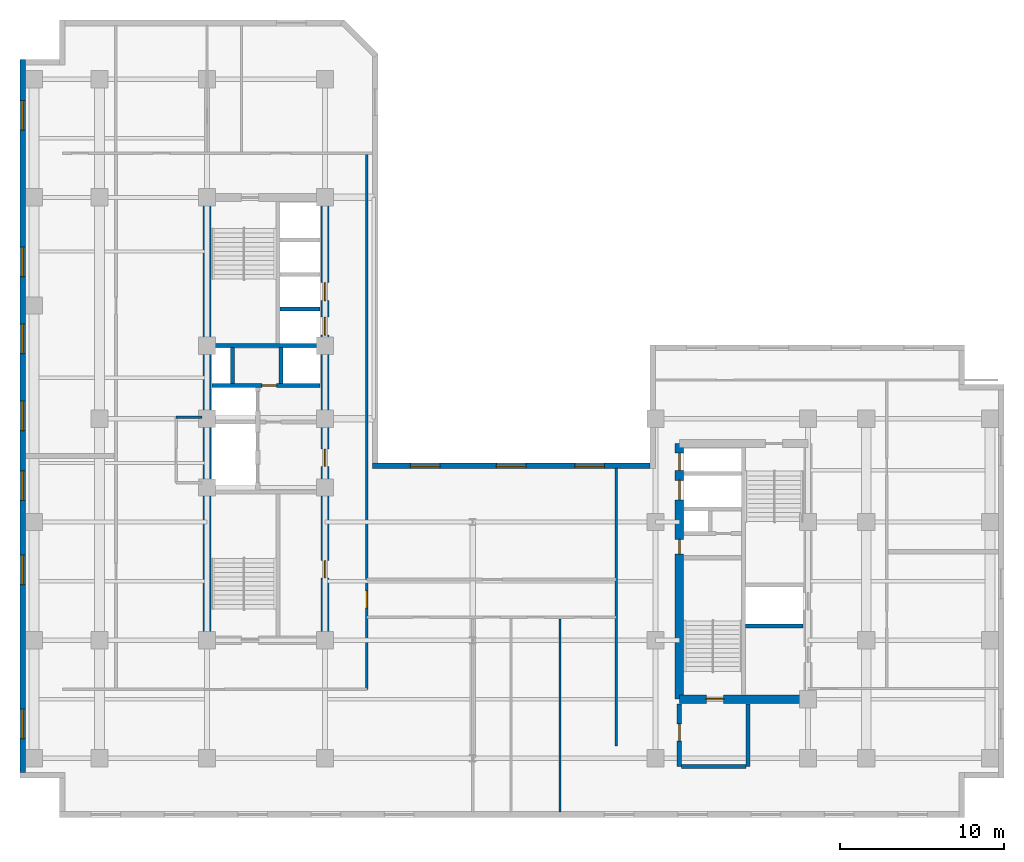
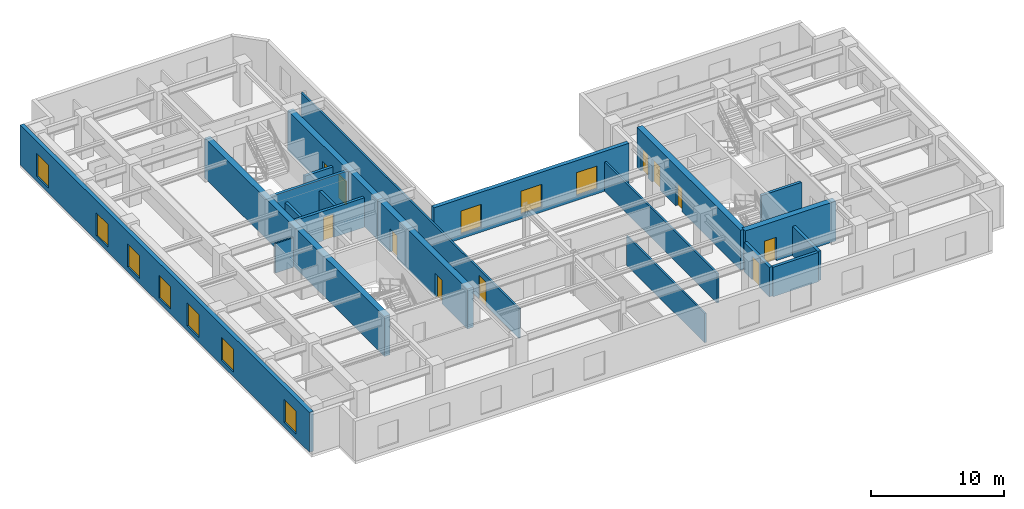
# One storey, part 4 of 9: 20 walls, 11 doors, 10 windows, 21 openings.
"""IFC4 building model written with IfcOpenShell, lengths in metres."""

from ifc_helpers import new_model, entity, si_unit, converted_unit, direction, frame, origin_with_axes, origin_2d_with_axis, place, context, subcontext, project, spatial, polyline, rectangle, outline, extrude, material, layer, layer_set, type_object, element, fill, save


model = new_model("IFC4")

# Units and contexts
model_context = context("Model", 3, precision=1e-05, world=origin_with_axes(), true_north=direction((0.0, 1.0)))
body_context = subcontext(model_context, "Body", "Model", "MODEL_VIEW")
ifc_project = project(units=[si_unit("LENGTHUNIT", "METRE"), si_unit("AREAUNIT", "SQUARE_METRE"), si_unit("VOLUMEUNIT", "CUBIC_METRE"), converted_unit("PLANEANGLEUNIT", "DEGREE", entity("IfcPlaneAngleMeasure", 0.017453292519943295), si_unit("PLANEANGLEUNIT", "RADIAN"), dimensions=[0, 0, 0, 0, 0, 0, 0]), si_unit("MASSUNIT", "GRAM", prefix="KILO"), si_unit("THERMODYNAMICTEMPERATUREUNIT", "KELVIN")], contexts=[model_context])

# Site, building, storey
site_placement = place(None, origin_with_axes())
site = spatial("IfcSite", under=ifc_project, at=site_placement, CompositionType="ELEMENT")
building_placement = place(site_placement, origin_with_axes())
building = spatial("IfcBuilding", under=site, at=building_placement, Name="Varnlund Millrace Tower", CompositionType="ELEMENT")
storey_placement = place(building_placement, frame((0.0, 0.0, 136.8), z_axis=(0.0, 0.0, 1.0), x_axis=(1.0, 0.0, 0.0)))
storey = spatial("IfcBuildingStorey", under=building, at=storey_placement, Name="L33", CompositionType="ELEMENT", Elevation=136.8)

# Wall
ifc_material_1 = material(Name="Concrete C70/85", Category="concrete")
ifc_layer_1 = layer(ifc_material_1, 0.5, Name="Concrete C70/85")
ifc_layer_set_1 = layer_set([ifc_layer_1], Name="Concrete C70/85")
wall_type_1 = type_object("IfcWallType", Name="Type-CoreWall-Shear-500-C70", PredefinedType="SHEAR", material=ifc_layer_set_1)
wall_1_placement = place(storey_placement, frame((11.4, 10.8, 0.0), z_axis=(0.0, 0.0, 1.0), x_axis=(0.0, 1.0, 0.0)))
element("IfcWall", 1, at=wall_1_placement, inside=storey, type_object=wall_type_1, Name="Type-CoreWall-Shear-500-C70", PredefinedType="SHEAR", context=body_context, shape_type="SweptSolid", body=[
    extrude(outline(polyline([(0.0, -0.25), (27.0, -0.25), (27.0, 0.25), (0.0, 0.25), (0.0, -0.25)])), origin_with_axes(), (0.0, 0.0, 1.0), 3.66),
])

# Wall, openings, doors
wall_2_placement = place(storey_placement, frame((18.6, 10.8, 0.0), z_axis=(0.0, 0.0, 1.0), x_axis=(0.0, 1.0, 0.0)))
wall_2 = element("IfcWall", 2, at=wall_2_placement, inside=storey, type_object=wall_type_1, Name="Type-CoreWall-Shear-500-C70", PredefinedType="SHEAR", context=body_context, shape_type="SweptSolid", body=[
    extrude(outline(polyline([(0.0, -0.25), (13.5, -0.25), (13.5, 0.25), (0.0, 0.25), (0.0, -0.25)])), origin_with_axes(), (0.0, 0.0, 1.0), 3.66),
])
opening_1_placement = place(wall_2_placement, frame((11.125, 0.0, 0.0), z_axis=(0.0, 0.0, 1.0), x_axis=(1.0, 0.0, 0.0)))
opening_1 = element("IfcOpeningElement", 3, at=opening_1_placement, cuts=wall_2, Name="Opening L33:DR-FFLOB-A", PredefinedType="OPENING", context=body_context, shape_type="SweptSolid", body=[
    extrude(rectangle(XDim=1.05, YDim=0.52, at=origin_2d_with_axis()), origin_with_axes(), (0.0, 0.0, 1.0), 2.15),
])
opening_2_placement = place(wall_2_placement, frame((4.325, 0.0, 0.0), z_axis=(0.0, 0.0, 1.0), x_axis=(1.0, 0.0, 0.0)))
opening_2 = element("IfcOpeningElement", 4, at=opening_2_placement, cuts=wall_2, Name="Opening L33:DR-RECL-A1", PredefinedType="OPENING", context=body_context, shape_type="SweptSolid", body=[
    extrude(rectangle(XDim=1.05, YDim=0.52, at=origin_2d_with_axis()), origin_with_axes(), (0.0, 0.0, 1.0), 2.15),
])
ifc_material_2 = material(Name="Smoke-barrier hollow steel fire door", Category="steel")
door_type_1 = type_object("IfcDoorType", Name="Type-FireDoor-Lobby-1050X2150", OperationType="NOTDEFINED", PredefinedType="DOOR", material=ifc_material_2)
door_1_placement = place(wall_2_placement, frame((11.125, 0.0, 0.0), z_axis=(0.0, 0.0, 1.0), x_axis=(1.0, 0.0, 0.0)))
door_1 = element("IfcDoor", 5, at=door_1_placement, inside=storey, type_object=door_type_1, Name="Type-FireDoor-Lobby-1050X2150", OperationType="SINGLE_SWING_LEFT", OverallHeight=2.15, OverallWidth=1.05, PredefinedType="DOOR", context=body_context, shape_type="SweptSolid", body=[
    extrude(rectangle(XDim=1.05, YDim=0.09, at=origin_2d_with_axis()), origin_with_axes(), (0.0, 0.0, 1.0), 2.15),
])
fill(opening_1, door_1)
door_2_placement = place(wall_2_placement, frame((4.325, 0.0, 0.0), z_axis=(0.0, 0.0, 1.0), x_axis=(1.0, 0.0, 0.0)))
door_2 = element("IfcDoor", 6, at=door_2_placement, inside=storey, type_object=door_type_1, Name="Type-FireDoor-Lobby-1050X2150", OperationType="SINGLE_SWING_LEFT", OverallHeight=2.15, OverallWidth=1.05, PredefinedType="DOOR", context=body_context, shape_type="SweptSolid", body=[
    extrude(rectangle(XDim=1.05, YDim=0.09, at=origin_2d_with_axis()), origin_with_axes(), (0.0, 0.0, 1.0), 2.15),
])
fill(opening_2, door_2)

wall_3_placement = place(storey_placement, frame((18.6, 24.3, 0.0), z_axis=(0.0, 0.0, 1.0), x_axis=(0.0, 1.0, 0.0)))
wall_3 = element("IfcWall", 7, at=wall_3_placement, inside=storey, type_object=wall_type_1, Name="Type-CoreWall-Shear-500-C70", PredefinedType="SHEAR", context=body_context, shape_type="SweptSolid", body=[
    extrude(outline(polyline([(0.0, -0.25), (13.5, -0.25), (13.5, 0.25), (0.0, 0.25), (0.0, -0.25)])), origin_with_axes(), (0.0, 0.0, 1.0), 3.66),
])
opening_3_placement = place(wall_3_placement, frame((5.65, 0.0, 0.0), z_axis=(0.0, 0.0, 1.0), x_axis=(1.0, 0.0, 0.0)))
opening_3 = element("IfcOpeningElement", 8, at=opening_3_placement, cuts=wall_3, Name="Opening L33:LD-ELV-M1", PredefinedType="OPENING", context=body_context, shape_type="SweptSolid", body=[
    extrude(rectangle(XDim=1.1, YDim=0.52, at=origin_2d_with_axis()), origin_with_axes(), (0.0, 0.0, 1.0), 2.15),
])
opening_4_placement = place(wall_3_placement, frame((7.75, 0.0, 0.0), z_axis=(0.0, 0.0, 1.0), x_axis=(1.0, 0.0, 0.0)))
opening_4 = element("IfcOpeningElement", 9, at=opening_4_placement, cuts=wall_3, Name="Opening L33:LD-ELV-M2", PredefinedType="OPENING", context=body_context, shape_type="SweptSolid", body=[
    extrude(rectangle(XDim=1.1, YDim=0.52, at=origin_2d_with_axis()), origin_with_axes(), (0.0, 0.0, 1.0), 2.15),
])
ifc_material_3 = material(Name="Stainless and architectural bronze sliding landing door")
door_type_2 = type_object("IfcDoorType", Name="Type-LiftLandingDoor-1100X2150", OperationType="NOTDEFINED", PredefinedType="DOOR", material=ifc_material_3)
door_3_placement = place(wall_3_placement, frame((5.65, 0.0, 0.0), z_axis=(0.0, 0.0, 1.0), x_axis=(1.0, 0.0, 0.0)))
door_3 = element("IfcDoor", 10, at=door_3_placement, inside=storey, type_object=door_type_2, Name="Type-LiftLandingDoor-1100X2150", OperationType="SLIDING_TO_LEFT", OverallHeight=2.15, OverallWidth=1.1, PredefinedType="DOOR", context=body_context, shape_type="SweptSolid", body=[
    extrude(rectangle(XDim=1.1, YDim=0.09, at=origin_2d_with_axis()), origin_with_axes(), (0.0, 0.0, 1.0), 2.15),
])
fill(opening_3, door_3)
door_4_placement = place(wall_3_placement, frame((7.75, 0.0, 0.0), z_axis=(0.0, 0.0, 1.0), x_axis=(1.0, 0.0, 0.0)))
door_4 = element("IfcDoor", 11, at=door_4_placement, inside=storey, type_object=door_type_2, Name="Type-LiftLandingDoor-1100X2150", OperationType="SLIDING_TO_RIGHT", OverallHeight=2.15, OverallWidth=1.1, PredefinedType="DOOR", context=body_context, shape_type="SweptSolid", body=[
    extrude(rectangle(XDim=1.1, YDim=0.09, at=origin_2d_with_axis()), origin_with_axes(), (0.0, 0.0, 1.0), 2.15),
])
fill(opening_4, door_4)

wall_4_placement = place(storey_placement, frame((40.2, 7.2, 0.0), z_axis=(0.0, 0.0, 1.0), x_axis=(0.0, 1.0, 0.0)))
wall_4 = element("IfcWall", 12, at=wall_4_placement, inside=storey, type_object=wall_type_1, Name="Type-CoreWall-Shear-500-C70", PredefinedType="SHEAR", context=body_context, shape_type="SweptSolid", body=[
    extrude(outline(polyline([(0.0, -0.25), (15.6, -0.25), (15.6, 0.25), (0.0, 0.25), (0.0, -0.25)])), origin_with_axes(), (0.0, 0.0, 1.0), 3.66),
])
opening_5_placement = place(wall_4_placement, frame((14.475, 0.0, 0.0), z_axis=(0.0, 0.0, 1.0), x_axis=(1.0, 0.0, 0.0)))
opening_5 = element("IfcOpeningElement", 13, at=opening_5_placement, cuts=wall_4, Name="Opening L33:LD-ELV-M4", PredefinedType="OPENING", context=body_context, shape_type="SweptSolid", body=[
    extrude(rectangle(XDim=1.05, YDim=0.52, at=origin_2d_with_axis()), origin_with_axes(), (0.0, 0.0, 1.0), 2.15),
])
opening_6_placement = place(wall_4_placement, frame((12.75, 0.0, 0.0), z_axis=(0.0, 0.0, 1.0), x_axis=(1.0, 0.0, 0.0)))
opening_6 = element("IfcOpeningElement", 14, at=opening_6_placement, cuts=wall_4, Name="Opening L33:LD-SRV2", PredefinedType="OPENING", context=body_context, shape_type="SweptSolid", body=[
    extrude(rectangle(XDim=1.2, YDim=0.52, at=origin_2d_with_axis()), origin_with_axes(), (0.0, 0.0, 1.0), 2.15),
])
opening_7_placement = place(wall_4_placement, frame((9.3, 0.0, 0.0), z_axis=(0.0, 0.0, 1.0), x_axis=(1.0, 0.0, 0.0)))
opening_7 = element("IfcOpeningElement", 15, at=opening_7_placement, cuts=wall_4, Name="Opening L33:DR-CB-JAN", PredefinedType="OPENING", context=body_context, shape_type="SweptSolid", body=[
    extrude(rectangle(XDim=0.9, YDim=0.52, at=origin_2d_with_axis()), origin_with_axes(), (0.0, 0.0, 1.0), 2.15),
])
ifc_material_4 = material(Name="Fire-rated hollow steel service closet door", Category="steel")
door_type_3 = type_object("IfcDoorType", Name="Type-FireDoor-Closet-900X2150", OperationType="NOTDEFINED", PredefinedType="DOOR", material=ifc_material_4)
door_5_placement = place(wall_4_placement, frame((9.3, 0.0, 0.0), z_axis=(0.0, 0.0, 1.0), x_axis=(1.0, 0.0, 0.0)))
door_5 = element("IfcDoor", 16, at=door_5_placement, inside=storey, type_object=door_type_3, Name="Type-FireDoor-Closet-900X2150", OperationType="SINGLE_SWING_RIGHT", OverallHeight=2.15, OverallWidth=0.9, PredefinedType="DOOR", context=body_context, shape_type="SweptSolid", body=[
    extrude(rectangle(XDim=0.9, YDim=0.09, at=origin_2d_with_axis()), origin_with_axes(), (0.0, 0.0, 1.0), 2.15),
])
fill(opening_7, door_5)
ifc_material_5 = material(Name="Architectural bronze sliding landing door")
door_type_4 = type_object("IfcDoorType", Name="Type-LiftLandingDoor-Compact-1050X2150", OperationType="NOTDEFINED", PredefinedType="DOOR", material=ifc_material_5)
door_6_placement = place(wall_4_placement, frame((14.475, 0.0, 0.0), z_axis=(0.0, 0.0, 1.0), x_axis=(1.0, 0.0, 0.0)))
door_6 = element("IfcDoor", 17, at=door_6_placement, inside=storey, type_object=door_type_4, Name="Type-LiftLandingDoor-Compact-1050X2150", OperationType="SLIDING_TO_RIGHT", OverallHeight=2.15, OverallWidth=1.05, PredefinedType="DOOR", context=body_context, shape_type="SweptSolid", body=[
    extrude(rectangle(XDim=1.05, YDim=0.09, at=origin_2d_with_axis()), origin_with_axes(), (0.0, 0.0, 1.0), 2.15),
])
fill(opening_5, door_6)
ifc_material_6 = material(Name="Heavy-duty freight sliding landing door")
door_type_5 = type_object("IfcDoorType", Name="Type-LiftLandingDoor-Service-1200X2150", OperationType="NOTDEFINED", PredefinedType="DOOR", material=ifc_material_6)
door_7_placement = place(wall_4_placement, frame((12.75, 0.0, 0.0), z_axis=(0.0, 0.0, 1.0), x_axis=(1.0, 0.0, 0.0)))
door_7 = element("IfcDoor", 18, at=door_7_placement, inside=storey, type_object=door_type_5, Name="Type-LiftLandingDoor-Service-1200X2150", OperationType="DOUBLE_DOOR_SLIDING", OverallHeight=2.15, OverallWidth=1.2, PredefinedType="DOOR", context=body_context, shape_type="SweptSolid", body=[
    extrude(rectangle(XDim=1.2, YDim=0.09, at=origin_2d_with_axis()), origin_with_axes(), (0.0, 0.0, 1.0), 2.15),
])
fill(opening_6, door_7)

# Wall, opening, door
wall_5_placement = place(storey_placement, frame((40.2, 7.2, 0.0), z_axis=(0.0, 0.0, 1.0), x_axis=(1.0, 0.0, 0.0)))
wall_5 = element("IfcWall", 19, at=wall_5_placement, inside=storey, type_object=wall_type_1, Name="Type-CoreWall-Shear-500-C70", PredefinedType="SHEAR", context=body_context, shape_type="SweptSolid", body=[
    extrude(outline(polyline([(0.0, -0.25), (7.85, -0.25), (7.85, 0.25), (0.0, 0.25), (0.0, -0.25)])), origin_with_axes(), (0.0, 0.0, 1.0), 3.66),
])
opening_8_placement = place(wall_5_placement, frame((2.175, 0.0, 0.0), z_axis=(0.0, 0.0, 1.0), x_axis=(1.0, 0.0, 0.0)))
opening_8 = element("IfcOpeningElement", 20, at=opening_8_placement, cuts=wall_5, Name="Opening L33:DR-STB1", PredefinedType="OPENING", context=body_context, shape_type="SweptSolid", body=[
    extrude(rectangle(XDim=1.05, YDim=0.52, at=origin_2d_with_axis()), origin_with_axes(), (0.0, 0.0, 1.0), 2.15),
])
ifc_material_7 = material(Name="Fire-rated hollow steel door", Category="steel")
door_type_6 = type_object("IfcDoorType", Name="Type-FireDoor-Stair-1050X2150", OperationType="NOTDEFINED", PredefinedType="DOOR", material=ifc_material_7)
door_8_placement = place(wall_5_placement, frame((2.175, 0.0, 0.0), z_axis=(0.0, 0.0, 1.0), x_axis=(1.0, 0.0, 0.0)))
door_8 = element("IfcDoor", 21, at=door_8_placement, inside=storey, type_object=door_type_6, Name="Type-FireDoor-Stair-1050X2150", OperationType="SINGLE_SWING_LEFT", OverallHeight=2.15, OverallWidth=1.05, PredefinedType="DOOR", context=body_context, shape_type="SweptSolid", body=[
    extrude(rectangle(XDim=1.05, YDim=0.09, at=origin_2d_with_axis()), origin_with_axes(), (0.0, 0.0, 1.0), 2.15),
])
fill(opening_8, door_8)

# Wall, openings, windows
ifc_material_8 = material(Name="Precast concrete C50/60", Category="concrete")
ifc_layer_2 = layer(ifc_material_8, 0.34, Name="Precast concrete C50/60")
ifc_layer_set_2 = layer_set([ifc_layer_2], Name="Precast concrete C50/60")
wall_type_2 = type_object("IfcWallType", Name="Type-ExtWall-Precast-Upper-340", PredefinedType="SOLIDWALL", material=ifc_layer_set_2)
wall_6_placement = place(storey_placement, frame((0.17, 2.74, 0.0), z_axis=(0.0, 0.0, 1.0), x_axis=(0.0, 1.0, 0.0)))
wall_6 = element("IfcWall", 22, at=wall_6_placement, inside=storey, type_object=wall_type_2, Name="Type-ExtWall-Precast-Upper-340", PredefinedType="SOLIDWALL", context=body_context, shape_type="SweptSolid", body=[
    extrude(outline(polyline([(0.0, -0.17), (43.46, -0.17), (43.46, 0.17), (0.0, 0.17), (0.0, -0.17)])), origin_with_axes(), (0.0, 0.0, 1.0), 3.66),
])
opening_9_placement = place(wall_6_placement, frame((2.948, 0.0, 0.45), z_axis=(0.0, 0.0, 1.0), x_axis=(1.0, 0.0, 0.0)))
opening_9 = element("IfcOpeningElement", 23, at=opening_9_placement, cuts=wall_6, Name="Opening L33:WN-18", PredefinedType="OPENING", context=body_context, shape_type="SweptSolid", body=[
    extrude(rectangle(XDim=1.8, YDim=0.36, at=origin_2d_with_axis()), origin_with_axes(), (0.0, 0.0, 1.0), 2.1),
])
opening_10_placement = place(wall_6_placement, frame((12.339, 0.0, 0.45), z_axis=(0.0, 0.0, 1.0), x_axis=(1.0, 0.0, 0.0)))
opening_10 = element("IfcOpeningElement", 24, at=opening_10_placement, cuts=wall_6, Name="Opening L33:WN-19", PredefinedType="OPENING", context=body_context, shape_type="SweptSolid", body=[
    extrude(rectangle(XDim=1.8, YDim=0.36, at=origin_2d_with_axis()), origin_with_axes(), (0.0, 0.0, 1.0), 2.1),
])
opening_11_placement = place(wall_6_placement, frame((17.484, 0.0, 0.45), z_axis=(0.0, 0.0, 1.0), x_axis=(1.0, 0.0, 0.0)))
opening_11 = element("IfcOpeningElement", 25, at=opening_11_placement, cuts=wall_6, Name="Opening L33:WN-20", PredefinedType="OPENING", context=body_context, shape_type="SweptSolid", body=[
    extrude(rectangle(XDim=1.8, YDim=0.36, at=origin_2d_with_axis()), origin_with_axes(), (0.0, 0.0, 1.0), 2.1),
])
opening_12_placement = place(wall_6_placement, frame((21.73, 0.0, 0.45), z_axis=(0.0, 0.0, 1.0), x_axis=(1.0, 0.0, 0.0)))
opening_12 = element("IfcOpeningElement", 26, at=opening_12_placement, cuts=wall_6, Name="Opening L33:WN-21", PredefinedType="OPENING", context=body_context, shape_type="SweptSolid", body=[
    extrude(rectangle(XDim=1.8, YDim=0.36, at=origin_2d_with_axis()), origin_with_axes(), (0.0, 0.0, 1.0), 2.1),
])
opening_13_placement = place(wall_6_placement, frame((26.426, 0.0, 0.45), z_axis=(0.0, 0.0, 1.0), x_axis=(1.0, 0.0, 0.0)))
opening_13 = element("IfcOpeningElement", 27, at=opening_13_placement, cuts=wall_6, Name="Opening L33:WN-22", PredefinedType="OPENING", context=body_context, shape_type="SweptSolid", body=[
    extrude(rectangle(XDim=1.8, YDim=0.36, at=origin_2d_with_axis()), origin_with_axes(), (0.0, 0.0, 1.0), 2.1),
])
opening_14_placement = place(wall_6_placement, frame((31.121, 0.0, 0.45), z_axis=(0.0, 0.0, 1.0), x_axis=(1.0, 0.0, 0.0)))
opening_14 = element("IfcOpeningElement", 28, at=opening_14_placement, cuts=wall_6, Name="Opening L33:WN-23", PredefinedType="OPENING", context=body_context, shape_type="SweptSolid", body=[
    extrude(rectangle(XDim=1.8, YDim=0.36, at=origin_2d_with_axis()), origin_with_axes(), (0.0, 0.0, 1.0), 2.1),
])
opening_15_placement = place(wall_6_placement, frame((40.062, 0.0, 0.45), z_axis=(0.0, 0.0, 1.0), x_axis=(1.0, 0.0, 0.0)))
opening_15 = element("IfcOpeningElement", 29, at=opening_15_placement, cuts=wall_6, Name="Opening L33:WN-24", PredefinedType="OPENING", context=body_context, shape_type="SweptSolid", body=[
    extrude(rectangle(XDim=1.8, YDim=0.36, at=origin_2d_with_axis()), origin_with_axes(), (0.0, 0.0, 1.0), 2.1),
])
ifc_material_9 = material(Name="Argon low-e triple glazing in thermally broken bronze frame", Category="glass")
window_type = type_object("IfcWindowType", Name="Type-Window-Punched-1800X2100", PartitioningType="SINGLE_PANEL", PredefinedType="WINDOW", material=ifc_material_9)
window_1_placement = place(wall_6_placement, frame((2.948, 0.0, 0.45), z_axis=(0.0, 0.0, 1.0), x_axis=(1.0, 0.0, 0.0)))
window_1 = element("IfcWindow", 30, at=window_1_placement, inside=storey, type_object=window_type, Name="Type-Window-Punched-1800X2100", OverallHeight=2.1, OverallWidth=1.8, PredefinedType="WINDOW", context=body_context, shape_type="SweptSolid", body=[
    extrude(rectangle(XDim=1.8, YDim=0.09, at=origin_2d_with_axis()), origin_with_axes(), (0.0, 0.0, 1.0), 2.1),
])
fill(opening_9, window_1)
window_2_placement = place(wall_6_placement, frame((12.339, 0.0, 0.45), z_axis=(0.0, 0.0, 1.0), x_axis=(1.0, 0.0, 0.0)))
window_2 = element("IfcWindow", 31, at=window_2_placement, inside=storey, type_object=window_type, Name="Type-Window-Punched-1800X2100", OverallHeight=2.1, OverallWidth=1.8, PredefinedType="WINDOW", context=body_context, shape_type="SweptSolid", body=[
    extrude(rectangle(XDim=1.8, YDim=0.09, at=origin_2d_with_axis()), origin_with_axes(), (0.0, 0.0, 1.0), 2.1),
])
fill(opening_10, window_2)
window_3_placement = place(wall_6_placement, frame((17.484, 0.0, 0.45), z_axis=(0.0, 0.0, 1.0), x_axis=(1.0, 0.0, 0.0)))
window_3 = element("IfcWindow", 32, at=window_3_placement, inside=storey, type_object=window_type, Name="Type-Window-Punched-1800X2100", OverallHeight=2.1, OverallWidth=1.8, PredefinedType="WINDOW", context=body_context, shape_type="SweptSolid", body=[
    extrude(rectangle(XDim=1.8, YDim=0.09, at=origin_2d_with_axis()), origin_with_axes(), (0.0, 0.0, 1.0), 2.1),
])
fill(opening_11, window_3)
window_4_placement = place(wall_6_placement, frame((21.73, 0.0, 0.45), z_axis=(0.0, 0.0, 1.0), x_axis=(1.0, 0.0, 0.0)))
window_4 = element("IfcWindow", 33, at=window_4_placement, inside=storey, type_object=window_type, Name="Type-Window-Punched-1800X2100", OverallHeight=2.1, OverallWidth=1.8, PredefinedType="WINDOW", context=body_context, shape_type="SweptSolid", body=[
    extrude(rectangle(XDim=1.8, YDim=0.09, at=origin_2d_with_axis()), origin_with_axes(), (0.0, 0.0, 1.0), 2.1),
])
fill(opening_12, window_4)
window_5_placement = place(wall_6_placement, frame((26.426, 0.0, 0.45), z_axis=(0.0, 0.0, 1.0), x_axis=(1.0, 0.0, 0.0)))
window_5 = element("IfcWindow", 34, at=window_5_placement, inside=storey, type_object=window_type, Name="Type-Window-Punched-1800X2100", OverallHeight=2.1, OverallWidth=1.8, PredefinedType="WINDOW", context=body_context, shape_type="SweptSolid", body=[
    extrude(rectangle(XDim=1.8, YDim=0.09, at=origin_2d_with_axis()), origin_with_axes(), (0.0, 0.0, 1.0), 2.1),
])
fill(opening_13, window_5)
window_6_placement = place(wall_6_placement, frame((31.121, 0.0, 0.45), z_axis=(0.0, 0.0, 1.0), x_axis=(1.0, 0.0, 0.0)))
window_6 = element("IfcWindow", 35, at=window_6_placement, inside=storey, type_object=window_type, Name="Type-Window-Punched-1800X2100", OverallHeight=2.1, OverallWidth=1.8, PredefinedType="WINDOW", context=body_context, shape_type="SweptSolid", body=[
    extrude(rectangle(XDim=1.8, YDim=0.09, at=origin_2d_with_axis()), origin_with_axes(), (0.0, 0.0, 1.0), 2.1),
])
fill(opening_14, window_6)
window_7_placement = place(wall_6_placement, frame((40.062, 0.0, 0.45), z_axis=(0.0, 0.0, 1.0), x_axis=(1.0, 0.0, 0.0)))
window_7 = element("IfcWindow", 36, at=window_7_placement, inside=storey, type_object=window_type, Name="Type-Window-Punched-1800X2100", OverallHeight=2.1, OverallWidth=1.8, PredefinedType="WINDOW", context=body_context, shape_type="SweptSolid", body=[
    extrude(rectangle(XDim=1.8, YDim=0.09, at=origin_2d_with_axis()), origin_with_axes(), (0.0, 0.0, 1.0), 2.1),
])
fill(opening_15, window_7)

wall_7_placement = place(storey_placement, frame((21.485, 21.43, 0.0), z_axis=(0.0, 0.0, 1.0), x_axis=(1.0, 0.0, 0.0)))
wall_7 = element("IfcWall", 37, at=wall_7_placement, inside=storey, type_object=wall_type_2, Name="Type-ExtWall-Precast-Upper-340", PredefinedType="SOLIDWALL", context=body_context, shape_type="SweptSolid", body=[
    extrude(outline(polyline([(0.0, -0.17), (16.915, -0.17), (16.915, 0.17), (0.0, 0.17), (0.0, -0.17)])), origin_with_axes(), (0.0, 0.0, 1.0), 3.66),
])
opening_16_placement = place(wall_7_placement, frame((3.219, 0.0, 0.45), z_axis=(0.0, 0.0, 1.0), x_axis=(1.0, 0.0, 0.0)))
opening_16 = element("IfcOpeningElement", 38, at=opening_16_placement, cuts=wall_7, Name="Opening L33:WN-27", PredefinedType="OPENING", context=body_context, shape_type="SweptSolid", body=[
    extrude(rectangle(XDim=1.8, YDim=0.36, at=origin_2d_with_axis()), origin_with_axes(), (0.0, 0.0, 1.0), 2.1),
])
opening_17_placement = place(wall_7_placement, frame((8.457, 0.0, 0.45), z_axis=(0.0, 0.0, 1.0), x_axis=(1.0, 0.0, 0.0)))
opening_17 = element("IfcOpeningElement", 39, at=opening_17_placement, cuts=wall_7, Name="Opening L33:WN-28", PredefinedType="OPENING", context=body_context, shape_type="SweptSolid", body=[
    extrude(rectangle(XDim=1.8, YDim=0.36, at=origin_2d_with_axis()), origin_with_axes(), (0.0, 0.0, 1.0), 2.1),
])
opening_18_placement = place(wall_7_placement, frame((13.246, 0.0, 0.45), z_axis=(0.0, 0.0, 1.0), x_axis=(1.0, 0.0, 0.0)))
opening_18 = element("IfcOpeningElement", 40, at=opening_18_placement, cuts=wall_7, Name="Opening L33:WN-29", PredefinedType="OPENING", context=body_context, shape_type="SweptSolid", body=[
    extrude(rectangle(XDim=1.8, YDim=0.36, at=origin_2d_with_axis()), origin_with_axes(), (0.0, 0.0, 1.0), 2.1),
])
window_8_placement = place(wall_7_placement, frame((3.219, 0.0, 0.45), z_axis=(0.0, 0.0, 1.0), x_axis=(1.0, 0.0, 0.0)))
window_8 = element("IfcWindow", 41, at=window_8_placement, inside=storey, type_object=window_type, Name="Type-Window-Punched-1800X2100", OverallHeight=2.1, OverallWidth=1.8, PredefinedType="WINDOW", context=body_context, shape_type="SweptSolid", body=[
    extrude(rectangle(XDim=1.8, YDim=0.09, at=origin_2d_with_axis()), origin_with_axes(), (0.0, 0.0, 1.0), 2.1),
])
fill(opening_16, window_8)
window_9_placement = place(wall_7_placement, frame((8.457, 0.0, 0.45), z_axis=(0.0, 0.0, 1.0), x_axis=(1.0, 0.0, 0.0)))
window_9 = element("IfcWindow", 42, at=window_9_placement, inside=storey, type_object=window_type, Name="Type-Window-Punched-1800X2100", OverallHeight=2.1, OverallWidth=1.8, PredefinedType="WINDOW", context=body_context, shape_type="SweptSolid", body=[
    extrude(rectangle(XDim=1.8, YDim=0.09, at=origin_2d_with_axis()), origin_with_axes(), (0.0, 0.0, 1.0), 2.1),
])
fill(opening_17, window_9)
window_10_placement = place(wall_7_placement, frame((13.246, 0.0, 0.45), z_axis=(0.0, 0.0, 1.0), x_axis=(1.0, 0.0, 0.0)))
window_10 = element("IfcWindow", 43, at=window_10_placement, inside=storey, type_object=window_type, Name="Type-Window-Punched-1800X2100", OverallHeight=2.1, OverallWidth=1.8, PredefinedType="WINDOW", context=body_context, shape_type="SweptSolid", body=[
    extrude(rectangle(XDim=1.8, YDim=0.09, at=origin_2d_with_axis()), origin_with_axes(), (0.0, 0.0, 1.0), 2.1),
])
fill(opening_18, window_10)

# Wall, opening, door
ifc_material_10 = material(Name="Fire-rated gypsum board on cold-formed steel framing", Category="steel")
ifc_layer_3 = layer(ifc_material_10, 0.16, Name="Fire-rated gypsum board on cold-formed steel framing")
ifc_layer_set_3 = layer_set([ifc_layer_3], Name="Fire-rated gypsum board on cold-formed steel framing")
wall_type_3 = type_object("IfcWallType", Name="Type-Partition-Corridor-160", PredefinedType="PARTITIONING", material=ifc_layer_set_3)
wall_8_placement = place(storey_placement, frame((21.15, 7.8, 0.0), z_axis=(0.0, 0.0, 1.0), x_axis=(0.0, 1.0, 0.0)))
wall_8 = element("IfcWall", 44, at=wall_8_placement, inside=storey, type_object=wall_type_3, Name="Type-Partition-Corridor-160", PredefinedType="PARTITIONING", context=body_context, shape_type="SweptSolid", body=[
    extrude(outline(polyline([(0.0, -0.08), (32.7, -0.08), (32.7, 0.08), (0.0, 0.08), (0.0, -0.08)])), origin_with_axes(), (0.0, 0.0, 1.0), 2.7),
])
opening_19_placement = place(wall_8_placement, frame((5.475, 0.0, 0.0), z_axis=(0.0, 0.0, 1.0), x_axis=(1.0, 0.0, 0.0)))
opening_19 = element("IfcOpeningElement", 45, at=opening_19_placement, cuts=wall_8, Name="Opening L33:DR-KN-W", PredefinedType="OPENING", context=body_context, shape_type="SweptSolid", body=[
    extrude(rectangle(XDim=1.05, YDim=0.18, at=origin_2d_with_axis()), origin_with_axes(), (0.0, 0.0, 1.0), 2.15),
])
door_9_placement = place(wall_8_placement, frame((5.475, 0.0, 0.0), z_axis=(0.0, 0.0, 1.0), x_axis=(1.0, 0.0, 0.0)))
door_9 = element("IfcDoor", 46, at=door_9_placement, inside=storey, type_object=door_type_1, Name="Type-FireDoor-Lobby-1050X2150", OperationType="SINGLE_SWING_LEFT", OverallHeight=2.15, OverallWidth=1.05, PredefinedType="DOOR", context=body_context, shape_type="SweptSolid", body=[
    extrude(rectangle(XDim=1.05, YDim=0.09, at=origin_2d_with_axis()), origin_with_axes(), (0.0, 0.0, 1.0), 2.15),
])
fill(opening_19, door_9)

# Walls
wall_9_placement = place(storey_placement, frame((36.35, 4.35, 0.0), z_axis=(0.0, 0.0, 1.0), x_axis=(0.0, 1.0, 0.0)))
element("IfcWall", 47, at=wall_9_placement, inside=storey, type_object=wall_type_3, Name="Type-Partition-Corridor-160", PredefinedType="PARTITIONING", context=body_context, shape_type="SweptSolid", body=[
    extrude(outline(polyline([(0.0, -0.08), (16.95, -0.08), (16.95, 0.08), (0.0, 0.08), (0.0, -0.08)])), origin_with_axes(), (0.0, 0.0, 1.0), 2.7),
])
ifc_material_11 = material(Name="Acoustic STC-50 gypsum board partition", Category="gypsum")
ifc_layer_4 = layer(ifc_material_11, 0.15, Name="Acoustic STC-50 gypsum board partition")
ifc_layer_set_4 = layer_set([ifc_layer_4], Name="Acoustic STC-50 gypsum board partition")
wall_type_4 = type_object("IfcWallType", Name="Type-Partition-Demising-150", PredefinedType="PARTITIONING", material=ifc_layer_set_4)
wall_10_placement = place(storey_placement, frame((32.928, 0.335, 0.0), z_axis=(0.0, 0.0, 1.0), x_axis=(0.0, 1.0, 0.0)))
element("IfcWall", 48, at=wall_10_placement, inside=storey, type_object=wall_type_4, Name="Type-Partition-Demising-150", PredefinedType="PARTITIONING", context=body_context, shape_type="SweptSolid", body=[
    extrude(outline(polyline([(0.0, -0.075), (11.745, -0.075), (11.745, 0.075), (0.0, 0.075), (0.0, -0.075)])), origin_with_axes(), (0.0, 0.0, 1.0), 2.7),
])
ifc_material_12 = material(Name="Moisture-resistant gypsum restroom partition", Category="gypsum")
ifc_layer_5 = layer(ifc_material_12, 0.14, Name="Moisture-resistant gypsum restroom partition")
ifc_layer_set_5 = layer_set([ifc_layer_5], Name="Moisture-resistant gypsum restroom partition")
wall_type_5 = type_object("IfcWallType", Name="Type-Partition-Wet-140", PredefinedType="PARTITIONING", material=ifc_layer_set_5)
wall_11_placement = place(storey_placement, frame((9.52, 24.4, 0.0), z_axis=(0.0, 0.0, 1.0), x_axis=(1.0, 0.0, 0.0)))
element("IfcWall", 49, at=wall_11_placement, inside=storey, type_object=wall_type_5, Name="Type-Partition-Wet-140", PredefinedType="PARTITIONING", context=body_context, shape_type="SweptSolid", body=[
    extrude(outline(polyline([(0.0, -0.07), (1.58, -0.07), (1.58, 0.07), (0.0, 0.07), (0.0, -0.07)])), origin_with_axes(), (0.0, 0.0, 1.0), 2.7),
])

# Wall, opening, door
ifc_material_13 = material(Name="Concrete C60/75", Category="concrete")
ifc_layer_6 = layer(ifc_material_13, 0.25, Name="Concrete C60/75")
ifc_layer_set_6 = layer_set([ifc_layer_6], Name="Concrete C60/75")
wall_type_6 = type_object("IfcWallType", Name="Type-ShaftWall-Fire-250", PredefinedType="SOLIDWALL", material=ifc_layer_set_6)
wall_12_placement = place(storey_placement, frame((11.7, 26.325, 0.0), z_axis=(0.0, 0.0, 1.0), x_axis=(1.0, 0.0, 0.0)))
wall_12 = element("IfcWall", 50, at=wall_12_placement, inside=storey, type_object=wall_type_6, Name="Type-ShaftWall-Fire-250", PredefinedType="SOLIDWALL", context=body_context, shape_type="SweptSolid", body=[
    extrude(outline(polyline([(0.0, -0.125), (6.6, -0.125), (6.6, 0.125), (0.0, 0.125), (0.0, -0.125)])), origin_with_axes(), (0.0, 0.0, 1.0), 2.7),
])
opening_20_placement = place(wall_12_placement, frame((3.5, 0.0, 0.0), z_axis=(0.0, 0.0, 1.0), x_axis=(1.0, 0.0, 0.0)))
opening_20 = element("IfcOpeningElement", 51, at=opening_20_placement, cuts=wall_12, Name="Opening L33:DR-CA-ELC", PredefinedType="OPENING", context=body_context, shape_type="SweptSolid", body=[
    extrude(rectangle(XDim=0.9, YDim=0.27, at=origin_2d_with_axis()), origin_with_axes(), (0.0, 0.0, 1.0), 2.15),
])
door_10_placement = place(wall_12_placement, frame((3.5, 0.0, 0.0), z_axis=(0.0, 0.0, 1.0), x_axis=(1.0, 0.0, 0.0)))
door_10 = element("IfcDoor", 52, at=door_10_placement, inside=storey, type_object=door_type_3, Name="Type-FireDoor-Closet-900X2150", OperationType="SINGLE_SWING_LEFT", OverallHeight=2.15, OverallWidth=0.9, PredefinedType="DOOR", context=body_context, shape_type="SweptSolid", body=[
    extrude(rectangle(XDim=0.9, YDim=0.09, at=origin_2d_with_axis()), origin_with_axes(), (0.0, 0.0, 1.0), 2.15),
])
fill(opening_20, door_10)

# Walls
for number, where, z_axis, x_axis, name in (
    (53, (12.96, 26.45, 0.0), (0.0, 0.0, 1.0), (0.0, 1.0, 0.0), "Type-ShaftWall-Fire-250"),
    (54, (15.925, 26.45, 0.0), (0.0, 0.0, 1.0), (0.0, 1.0, 0.0), "Type-ShaftWall-Fire-250"),
):
    element("IfcWall", number, at=place(storey_placement, frame(where, z_axis=z_axis, x_axis=x_axis)), inside=storey, type_object=wall_type_6, Name=name, PredefinedType="SOLIDWALL", context=body_context, shape_type="SweptSolid", body=[
        extrude(outline(polyline([(0.0, -0.125), (2.2, -0.125), (2.2, 0.125), (0.0, 0.125), (0.0, -0.125)])), origin_with_axes(), (0.0, 0.0, 1.0), 2.7),
    ])

# Wall, opening, door
wall_13_placement = place(storey_placement, frame((40.2, 3.1, 0.0), z_axis=(0.0, 0.0, 1.0), x_axis=(0.0, 1.0, 0.0)))
wall_13 = element("IfcWall", 55, at=wall_13_placement, inside=storey, type_object=wall_type_6, Name="Type-ShaftWall-Fire-250", PredefinedType="SOLIDWALL", context=body_context, shape_type="SweptSolid", body=[
    extrude(outline(polyline([(0.0, -0.125), (3.8, -0.125), (3.8, 0.125), (0.0, 0.125), (0.0, -0.125)])), origin_with_axes(), (0.0, 0.0, 1.0), 2.7),
])
opening_21_placement = place(wall_13_placement, frame((2.075, 0.0, 0.0), z_axis=(0.0, 0.0, 1.0), x_axis=(1.0, 0.0, 0.0)))
opening_21 = element("IfcOpeningElement", 56, at=opening_21_placement, cuts=wall_13, Name="Opening L33:DR-FFLOB-B", PredefinedType="OPENING", context=body_context, shape_type="SweptSolid", body=[
    extrude(rectangle(XDim=1.05, YDim=0.27, at=origin_2d_with_axis()), origin_with_axes(), (0.0, 0.0, 1.0), 2.15),
])
door_11_placement = place(wall_13_placement, frame((2.075, 0.0, 0.0), z_axis=(0.0, 0.0, 1.0), x_axis=(1.0, 0.0, 0.0)))
door_11 = element("IfcDoor", 57, at=door_11_placement, inside=storey, type_object=door_type_1, Name="Type-FireDoor-Lobby-1050X2150", OperationType="SINGLE_SWING_LEFT", OverallHeight=2.15, OverallWidth=1.05, PredefinedType="DOOR", context=body_context, shape_type="SweptSolid", body=[
    extrude(rectangle(XDim=1.05, YDim=0.09, at=origin_2d_with_axis()), origin_with_axes(), (0.0, 0.0, 1.0), 2.15),
])
fill(opening_21, door_11)

# Walls
wall_14_placement = place(storey_placement, frame((40.325, 3.1, 0.0), z_axis=(0.0, 0.0, 1.0), x_axis=(1.0, 0.0, 0.0)))
element("IfcWall", 58, at=wall_14_placement, inside=storey, type_object=wall_type_6, Name="Type-ShaftWall-Fire-250", PredefinedType="SOLIDWALL", context=body_context, shape_type="SweptSolid", body=[
    extrude(outline(polyline([(0.0, -0.125), (3.95, -0.125), (3.95, 0.125), (0.0, 0.125), (0.0, -0.125)])), origin_with_axes(), (0.0, 0.0, 1.0), 2.7),
])
wall_15_placement = place(storey_placement, frame((44.4, 3.1, 0.0), z_axis=(0.0, 0.0, 1.0), x_axis=(0.0, 1.0, 0.0)))
element("IfcWall", 59, at=wall_15_placement, inside=storey, type_object=wall_type_6, Name="Type-ShaftWall-Fire-250", PredefinedType="SOLIDWALL", context=body_context, shape_type="SweptSolid", body=[
    extrude(outline(polyline([(0.0, -0.125), (3.8, -0.125), (3.8, 0.125), (0.0, 0.125), (0.0, -0.125)])), origin_with_axes(), (0.0, 0.0, 1.0), 2.7),
])
wall_16_placement = place(storey_placement, frame((15.84, 31.0, 0.0), z_axis=(0.0, 0.0, 1.0), x_axis=(1.0, 0.0, 0.0)))
element("IfcWall", 60, at=wall_16_placement, inside=storey, type_object=wall_type_6, Name="Type-ShaftWall-Fire-250", PredefinedType="SOLIDWALL", context=body_context, shape_type="SweptSolid", body=[
    extrude(outline(polyline([(0.0, -0.125), (2.46, -0.125), (2.46, 0.125), (0.0, 0.125), (0.0, -0.125)])), origin_with_axes(), (0.0, 0.0, 1.0), 2.7),
])
wall_17_placement = place(storey_placement, frame((44.25, 11.66, 0.0), z_axis=(0.0, 0.0, 1.0), x_axis=(1.0, 0.0, 0.0)))
element("IfcWall", 61, at=wall_17_placement, inside=storey, type_object=wall_type_6, Name="Type-ShaftWall-Fire-250", PredefinedType="SOLIDWALL", context=body_context, shape_type="SweptSolid", body=[
    extrude(outline(polyline([(0.0, -0.125), (3.5, -0.125), (3.5, 0.125), (0.0, 0.125), (0.0, -0.125)])), origin_with_axes(), (0.0, 0.0, 1.0), 2.7),
])
wall_type_7 = type_object("IfcWallType", Name="Type-StairWall-Shear-250", PredefinedType="SHEAR", material=ifc_layer_set_6)
wall_18_placement = place(storey_placement, frame((11.65, 28.775, 0.0), z_axis=(0.0, 0.0, 1.0), x_axis=(1.0, 0.0, 0.0)))
element("IfcWall", 62, at=wall_18_placement, inside=storey, type_object=wall_type_7, Name="Type-StairWall-Shear-250", PredefinedType="SHEAR", context=body_context, shape_type="SweptSolid", body=[
    extrude(outline(polyline([(0.0, -0.125), (6.7, -0.125), (6.7, 0.125), (0.0, 0.125), (0.0, -0.125)])), origin_with_axes(), (0.0, 0.0, 1.0), 3.66),
])

save(model, "model.ifc")
